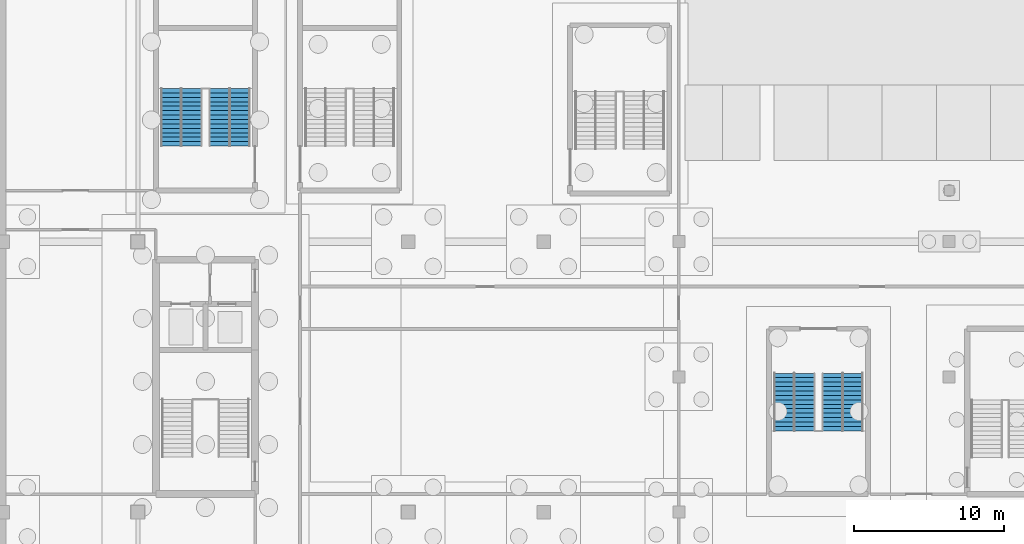
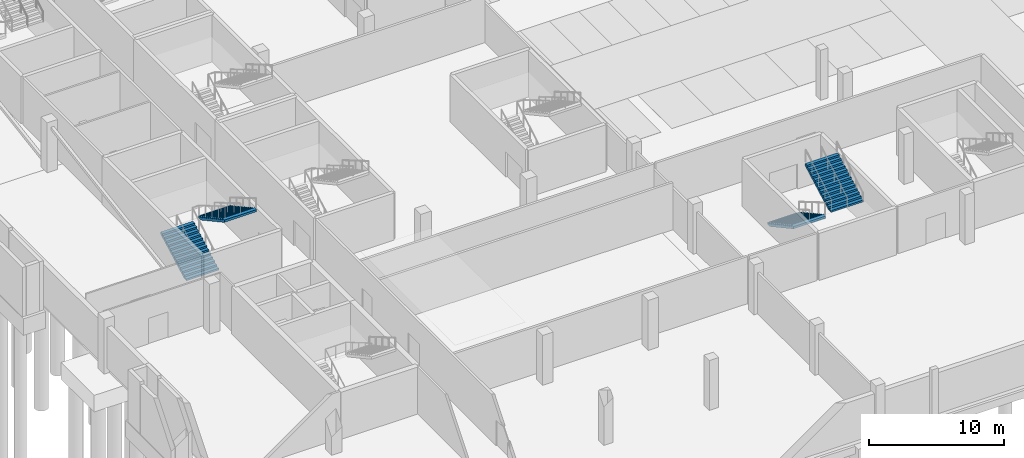
# One storey, part 28 of 46: 4 stair flights, 2 elements without a shape of their own.
"""IFC4 building model written with IfcOpenShell, lengths in metres."""

from ifc_helpers import new_model, si_unit, direction, frame, origin, place, context, subcontext, project, spatial, polygons, material, type_object, element, aggregate, save


model = new_model("IFC4")

# Units and contexts
model_context = context("Model", 3, precision=1e-05, world=origin(), true_north=direction((0.0, 1.0)))
body_context = subcontext(model_context, "Body", "Model", "MODEL_VIEW")
ifc_project = project(units=[si_unit("LENGTHUNIT", "METRE"), si_unit("AREAUNIT", "SQUARE_METRE"), si_unit("VOLUMEUNIT", "CUBIC_METRE"), si_unit("PLANEANGLEUNIT", "RADIAN"), si_unit("MASSUNIT", "GRAM", prefix="KILO")], contexts=[model_context])

# Site, building, storey
site_placement = place(None, origin())
site = spatial("IfcSite", under=ifc_project, at=site_placement, CompositionType="ELEMENT")
building_placement = place(site_placement, origin())
building = spatial("IfcBuilding", under=site, at=building_placement, Name="Kisiwana Market Hall", CompositionType="ELEMENT")
storey_placement = place(building_placement, frame((0.0, 0.0, -4.5)))
storey = spatial("IfcBuildingStorey", under=building, at=storey_placement, Name="B1", CompositionType="ELEMENT", Elevation=-4.5)

# Stair, stair flights
ifc_material_1 = material(Name="Concrete C32/40", Category="concrete")
stair_type = type_object("IfcStairType", Name="ST-ESC-4500", PredefinedType="TWO_STRAIGHT_RUN_STAIR", material=ifc_material_1)
stair_1_placement = place(storey_placement, origin())
stair_1 = element("IfcStair", 1, at=stair_1_placement, inside=storey, type_object=stair_type, Name="Escape stair ST-W3-B1", PredefinedType="TWO_STRAIGHT_RUN_STAIR")
ifc_material_2 = material(Name="Concrete C32/40", Category="concrete")
stair_flight_type = type_object("IfcStairFlightType", Name="SF-ESC-4500", PredefinedType="STRAIGHT", material=ifc_material_2)
stair_flight_1_placement = place(storey_placement, frame((11.889892578125, 42.360107421875, 0.0), z_axis=(0.0, 0.0, 1.0), x_axis=(0.0, 1.0, 0.0)))
stair_flight_1 = element("IfcStairFlight", 2, at=stair_flight_1_placement, type_object=stair_flight_type, Name="ST-W3-B1 flight 1", NumberOfRisers=14, NumberOfTreads=13, PredefinedType="STRAIGHT", RiserHeight=0.160714, TreadLength=0.295, context=body_context, shape_type="Tessellation", body=[
    polygons([(0.0, -1.380127, 0.0), (0.0, -0.690125, 0.0), (0.0, -0.000122, 0.0), (0.0, 0.68988, 0.0), (0.0, 1.379883, 0.0), (0.0, -1.380127, 0.160645), (0.0, -0.690125, 0.160645), (0.0, -0.000122, 0.160645), (0.0, 0.68988, 0.160645), (0.0, 1.379883, 0.160645), (0.294922, -1.380127, 0.160645), (0.294922, -0.690125, 0.160645), (0.294922, -0.000122, 0.160645), (0.294922, 0.68988, 0.160645), (0.294922, 1.379883, 0.160645), (0.294922, -1.380127, 0.321533), (0.294922, -0.690125, 0.321533), (0.294922, -0.000122, 0.321533), (0.294922, 0.68988, 0.321533), (0.294922, 1.379883, 0.321533), (0.590088, -1.380127, 0.321533), (0.590088, -0.690125, 0.321533), (0.590088, -0.000122, 0.321533), (0.590088, 0.68988, 0.321533), (0.590088, 1.379883, 0.321533), (0.590088, -1.380127, 0.482178), (0.590088, -0.690125, 0.482178), (0.590088, -0.000122, 0.482178), (0.590088, 0.68988, 0.482178), (0.590088, 1.379883, 0.482178), (0.88501, -1.380127, 0.482178), (0.88501, -0.690125, 0.482178), (0.88501, -0.000122, 0.482178), (0.88501, 0.68988, 0.482178), (0.88501, 1.379883, 0.482178), (0.88501, -1.380127, 0.642822), (0.88501, -0.690125, 0.642822), (0.88501, -0.000122, 0.642822), (0.88501, 0.68988, 0.642822), (0.88501, 1.379883, 0.642822), (1.179932, -1.380127, 0.642822), (1.179932, -0.690125, 0.642822), (1.179932, -0.000122, 0.642822), (1.179932, 0.68988, 0.642822), (1.179932, 1.379883, 0.642822), (1.179932, -1.380127, 0.803467), (1.179932, -0.690125, 0.803467), (1.179932, -0.000122, 0.803467), (1.179932, 0.68988, 0.803467), (1.179932, 1.379883, 0.803467), (1.475098, -1.380127, 0.803467), (1.475098, -0.690125, 0.803467), (1.475098, -0.000122, 0.803467), (1.475098, 0.68988, 0.803467), (1.475098, 1.379883, 0.803467), (1.475098, -1.380127, 0.964355), (1.475098, -0.690125, 0.964355), (1.475098, -0.000122, 0.964355), (1.475098, 0.68988, 0.964355), (1.475098, 1.379883, 0.964355), (1.77002, -1.380127, 0.964355), (1.77002, -0.690125, 0.964355), (1.77002, -0.000122, 0.964355), (1.77002, 0.68988, 0.964355), (1.77002, 1.379883, 0.964355), (1.77002, -1.380127, 1.125), (1.77002, -0.690125, 1.125), (1.77002, -0.000122, 1.125), (1.77002, 0.68988, 1.125), (1.77002, 1.379883, 1.125), (2.064941, -1.380127, 1.125), (2.064941, -0.690125, 1.125), (2.064941, -0.000122, 1.125), (2.064941, 0.68988, 1.125), (2.064941, 1.379883, 1.125), (2.064941, -1.380127, 1.285645), (2.064941, -0.690125, 1.285645), (2.064941, -0.000122, 1.285645), (2.064941, 0.68988, 1.285645), (2.064941, 1.379883, 1.285645), (2.360107, -1.380127, 1.285645), (2.360107, -0.690125, 1.285645), (2.360107, -0.000122, 1.285645), (2.360107, 0.68988, 1.285645), (2.360107, 1.379883, 1.285645), (2.360107, -1.380127, 1.446533), (2.360107, -0.690125, 1.446533), (2.360107, -0.000122, 1.446533), (2.360107, 0.68988, 1.446533), (2.360107, 1.379883, 1.446533), (2.655029, -1.380127, 1.446533), (2.655029, -0.690125, 1.446533), (2.655029, -0.000122, 1.446533), (2.655029, 0.68988, 1.446533), (2.655029, 1.379883, 1.446533), (2.655029, -1.380127, 1.607178), (2.655029, -0.690125, 1.607178), (2.655029, -0.000122, 1.607178), (2.655029, 0.68988, 1.607178), (2.655029, 1.379883, 1.607178), (2.949951, -1.380127, 1.607178), (2.949951, -0.690125, 1.607178), (2.949951, -0.000122, 1.607178), (2.949951, 0.68988, 1.607178), (2.949951, 1.379883, 1.607178), (2.949951, -1.380127, 1.767822), (2.949951, -0.690125, 1.767822), (2.949951, -0.000122, 1.767822), (2.949951, 0.68988, 1.767822), (2.949951, 1.379883, 1.767822), (3.245117, -1.380127, 1.767822), (3.245117, -0.690125, 1.767822), (3.245117, -0.000122, 1.767822), (3.245117, 0.68988, 1.767822), (3.245117, 1.379883, 1.767822), (3.245117, -1.380127, 1.928467), (3.245117, -0.690125, 1.928467), (3.245117, -0.000122, 1.928467), (3.245117, 0.68988, 1.928467), (3.245117, 1.379883, 1.928467), (3.540039, -1.380127, 1.928467), (3.540039, -0.690125, 1.928467), (3.540039, -0.000122, 1.928467), (3.540039, 0.68988, 1.928467), (3.540039, 1.379883, 1.928467), (3.540039, -1.380127, 2.089355), (3.540039, -0.690125, 2.089355), (3.540039, -0.000122, 2.089355), (3.540039, 0.68988, 2.089355), (3.540039, 1.379883, 2.089355), (3.834961, -1.380127, 2.089355), (3.834961, -0.690125, 2.089355), (3.834961, -0.000122, 2.089355), (3.834961, 0.68988, 2.089355), (3.834961, 1.379883, 2.089355), (3.834961, -1.380127, 1.884277), (3.834961, -0.690125, 1.884277), (3.834961, -0.000122, 1.884277), (3.834961, 0.68988, 1.884277), (3.834961, 1.379883, 1.884277), (0.376221, -1.380127, 0.0), (0.376221, -0.690125, 0.0), (0.376221, -0.000122, 0.0), (0.376221, 0.68988, 0.0), (0.376221, 1.379883, 0.0)], [[[1, 6, 7, 2]], [[2, 7, 8, 3]], [[3, 8, 9, 4]], [[4, 9, 10, 5]], [[6, 11, 12, 7]], [[7, 12, 13, 8]], [[8, 13, 14, 9]], [[9, 14, 15, 10]], [[11, 16, 17, 12]], [[12, 17, 18, 13]], [[13, 18, 19, 14]], [[14, 19, 20, 15]], [[16, 21, 22, 17]], [[17, 22, 23, 18]], [[18, 23, 24, 19]], [[19, 24, 25, 20]], [[21, 26, 27, 22]], [[22, 27, 28, 23]], [[23, 28, 29, 24]], [[24, 29, 30, 25]], [[26, 31, 32, 27]], [[27, 32, 33, 28]], [[28, 33, 34, 29]], [[29, 34, 35, 30]], [[31, 36, 37, 32]], [[32, 37, 38, 33]], [[33, 38, 39, 34]], [[34, 39, 40, 35]], [[36, 41, 42, 37]], [[37, 42, 43, 38]], [[38, 43, 44, 39]], [[39, 44, 45, 40]], [[41, 46, 47, 42]], [[42, 47, 48, 43]], [[43, 48, 49, 44]], [[44, 49, 50, 45]], [[46, 51, 52, 47]], [[47, 52, 53, 48]], [[48, 53, 54, 49]], [[49, 54, 55, 50]], [[51, 56, 57, 52]], [[52, 57, 58, 53]], [[53, 58, 59, 54]], [[54, 59, 60, 55]], [[56, 61, 62, 57]], [[57, 62, 63, 58]], [[58, 63, 64, 59]], [[59, 64, 65, 60]], [[61, 66, 67, 62]], [[62, 67, 68, 63]], [[63, 68, 69, 64]], [[64, 69, 70, 65]], [[66, 71, 72, 67]], [[67, 72, 73, 68]], [[68, 73, 74, 69]], [[69, 74, 75, 70]], [[71, 76, 77, 72]], [[72, 77, 78, 73]], [[73, 78, 79, 74]], [[74, 79, 80, 75]], [[76, 81, 82, 77]], [[77, 82, 83, 78]], [[78, 83, 84, 79]], [[79, 84, 85, 80]], [[81, 86, 87, 82]], [[82, 87, 88, 83]], [[83, 88, 89, 84]], [[84, 89, 90, 85]], [[86, 91, 92, 87]], [[87, 92, 93, 88]], [[88, 93, 94, 89]], [[89, 94, 95, 90]], [[91, 96, 97, 92]], [[92, 97, 98, 93]], [[93, 98, 99, 94]], [[94, 99, 100, 95]], [[96, 101, 102, 97]], [[97, 102, 103, 98]], [[98, 103, 104, 99]], [[99, 104, 105, 100]], [[101, 106, 107, 102]], [[102, 107, 108, 103]], [[103, 108, 109, 104]], [[104, 109, 110, 105]], [[106, 111, 112, 107]], [[107, 112, 113, 108]], [[108, 113, 114, 109]], [[109, 114, 115, 110]], [[111, 116, 117, 112]], [[112, 117, 118, 113]], [[113, 118, 119, 114]], [[114, 119, 120, 115]], [[116, 121, 122, 117]], [[117, 122, 123, 118]], [[118, 123, 124, 119]], [[119, 124, 125, 120]], [[121, 126, 127, 122]], [[122, 127, 128, 123]], [[123, 128, 129, 124]], [[124, 129, 130, 125]], [[126, 131, 132, 127]], [[127, 132, 133, 128]], [[128, 133, 134, 129]], [[129, 134, 135, 130]], [[131, 136, 137, 132]], [[132, 137, 138, 133]], [[133, 138, 139, 134]], [[134, 139, 140, 135]], [[136, 141, 142, 137]], [[137, 142, 143, 138]], [[138, 143, 144, 139]], [[139, 144, 145, 140]], [[141, 1, 2, 142]], [[142, 2, 3, 143]], [[143, 3, 4, 144]], [[144, 4, 5, 145]], [[141, 136, 131, 126, 121, 116, 111, 106, 101, 96, 91, 86, 81, 76, 71, 66, 61, 56, 51, 46, 41, 36, 31, 26, 21, 16, 11, 6, 1]], [[5, 10, 15, 20, 25, 30, 35, 40, 45, 50, 55, 60, 65, 70, 75, 80, 85, 90, 95, 100, 105, 110, 115, 120, 125, 130, 135, 140, 145]]], closed=True),
])
stair_flight_2_placement = place(storey_placement, frame((15.110107421875, 46.195068359375, 2.25), z_axis=(0.0, 0.0, 1.0), x_axis=(0.0, -1.0, 0.0)))
stair_flight_2 = element("IfcStairFlight", 3, at=stair_flight_2_placement, type_object=stair_flight_type, Name="ST-W3-B1 flight 2", NumberOfRisers=14, NumberOfTreads=13, PredefinedType="STRAIGHT", RiserHeight=0.160714, TreadLength=0.295, context=body_context, shape_type="Tessellation", body=[
    polygons([(0.0, -1.380127, 0.0), (0.0, -0.690125, 0.0), (0.0, -0.000122, 0.0), (0.0, 0.68988, 0.0), (0.0, 1.379883, 0.0), (0.0, -1.380127, 0.160645), (0.0, -0.690125, 0.160645), (0.0, -0.000122, 0.160645), (0.0, 0.68988, 0.160645), (0.0, 1.379883, 0.160645), (0.294922, -1.380127, 0.160645), (0.294922, -0.690125, 0.160645), (0.294922, -0.000122, 0.160645), (0.294922, 0.68988, 0.160645), (0.294922, 1.379883, 0.160645), (0.294922, -1.380127, 0.321533), (0.294922, -0.690125, 0.321533), (0.294922, -0.000122, 0.321533), (0.294922, 0.68988, 0.321533), (0.294922, 1.379883, 0.321533), (0.590088, -1.380127, 0.321533), (0.590088, -0.690125, 0.321533), (0.590088, -0.000122, 0.321533), (0.590088, 0.68988, 0.321533), (0.590088, 1.379883, 0.321533), (0.590088, -1.380127, 0.482178), (0.590088, -0.690125, 0.482178), (0.590088, -0.000122, 0.482178), (0.590088, 0.68988, 0.482178), (0.590088, 1.379883, 0.482178), (0.88501, -1.380127, 0.482178), (0.88501, -0.690125, 0.482178), (0.88501, -0.000122, 0.482178), (0.88501, 0.68988, 0.482178), (0.88501, 1.379883, 0.482178), (0.88501, -1.380127, 0.642822), (0.88501, -0.690125, 0.642822), (0.88501, -0.000122, 0.642822), (0.88501, 0.68988, 0.642822), (0.88501, 1.379883, 0.642822), (1.179932, -1.380127, 0.642822), (1.179932, -0.690125, 0.642822), (1.179932, -0.000122, 0.642822), (1.179932, 0.68988, 0.642822), (1.179932, 1.379883, 0.642822), (1.179932, -1.380127, 0.803467), (1.179932, -0.690125, 0.803467), (1.179932, -0.000122, 0.803467), (1.179932, 0.68988, 0.803467), (1.179932, 1.379883, 0.803467), (1.475098, -1.380127, 0.803467), (1.475098, -0.690125, 0.803467), (1.475098, -0.000122, 0.803467), (1.475098, 0.68988, 0.803467), (1.475098, 1.379883, 0.803467), (1.475098, -1.380127, 0.964355), (1.475098, -0.690125, 0.964355), (1.475098, -0.000122, 0.964355), (1.475098, 0.68988, 0.964355), (1.475098, 1.379883, 0.964355), (1.77002, -1.380127, 0.964355), (1.77002, -0.690125, 0.964355), (1.77002, -0.000122, 0.964355), (1.77002, 0.68988, 0.964355), (1.77002, 1.379883, 0.964355), (1.77002, -1.380127, 1.125), (1.77002, -0.690125, 1.125), (1.77002, -0.000122, 1.125), (1.77002, 0.68988, 1.125), (1.77002, 1.379883, 1.125), (2.064941, -1.380127, 1.125), (2.064941, -0.690125, 1.125), (2.064941, -0.000122, 1.125), (2.064941, 0.68988, 1.125), (2.064941, 1.379883, 1.125), (2.064941, -1.380127, 1.285645), (2.064941, -0.690125, 1.285645), (2.064941, -0.000122, 1.285645), (2.064941, 0.68988, 1.285645), (2.064941, 1.379883, 1.285645), (2.360107, -1.380127, 1.285645), (2.360107, -0.690125, 1.285645), (2.360107, -0.000122, 1.285645), (2.360107, 0.68988, 1.285645), (2.360107, 1.379883, 1.285645), (2.360107, -1.380127, 1.446533), (2.360107, -0.690125, 1.446533), (2.360107, -0.000122, 1.446533), (2.360107, 0.68988, 1.446533), (2.360107, 1.379883, 1.446533), (2.655029, -1.380127, 1.446533), (2.655029, -0.690125, 1.446533), (2.655029, -0.000122, 1.446533), (2.655029, 0.68988, 1.446533), (2.655029, 1.379883, 1.446533), (2.655029, -1.380127, 1.607178), (2.655029, -0.690125, 1.607178), (2.655029, -0.000122, 1.607178), (2.655029, 0.68988, 1.607178), (2.655029, 1.379883, 1.607178), (2.949951, -1.380127, 1.607178), (2.949951, -0.690125, 1.607178), (2.949951, -0.000122, 1.607178), (2.949951, 0.68988, 1.607178), (2.949951, 1.379883, 1.607178), (2.949951, -1.380127, 1.767822), (2.949951, -0.690125, 1.767822), (2.949951, -0.000122, 1.767822), (2.949951, 0.68988, 1.767822), (2.949951, 1.379883, 1.767822), (3.245117, -1.380127, 1.767822), (3.245117, -0.690125, 1.767822), (3.245117, -0.000122, 1.767822), (3.245117, 0.68988, 1.767822), (3.245117, 1.379883, 1.767822), (3.245117, -1.380127, 1.928467), (3.245117, -0.690125, 1.928467), (3.245117, -0.000122, 1.928467), (3.245117, 0.68988, 1.928467), (3.245117, 1.379883, 1.928467), (3.540039, -1.380127, 1.928467), (3.540039, -0.690125, 1.928467), (3.540039, -0.000122, 1.928467), (3.540039, 0.68988, 1.928467), (3.540039, 1.379883, 1.928467), (3.540039, -1.380127, 2.089355), (3.540039, -0.690125, 2.089355), (3.540039, -0.000122, 2.089355), (3.540039, 0.68988, 2.089355), (3.540039, 1.379883, 2.089355), (3.834961, -1.380127, 2.089355), (3.834961, -0.690125, 2.089355), (3.834961, -0.000122, 2.089355), (3.834961, 0.68988, 2.089355), (3.834961, 1.379883, 2.089355), (3.834961, -1.380127, 1.884277), (3.834961, -0.690125, 1.884277), (3.834961, -0.000122, 1.884277), (3.834961, 0.68988, 1.884277), (3.834961, 1.379883, 1.884277), (0.376221, -1.380127, 0.0), (0.376221, -0.690125, 0.0), (0.376221, -0.000122, 0.0), (0.376221, 0.68988, 0.0), (0.376221, 1.379883, 0.0)], [[[1, 6, 7, 2]], [[2, 7, 8, 3]], [[3, 8, 9, 4]], [[4, 9, 10, 5]], [[6, 11, 12, 7]], [[7, 12, 13, 8]], [[8, 13, 14, 9]], [[9, 14, 15, 10]], [[11, 16, 17, 12]], [[12, 17, 18, 13]], [[13, 18, 19, 14]], [[14, 19, 20, 15]], [[16, 21, 22, 17]], [[17, 22, 23, 18]], [[18, 23, 24, 19]], [[19, 24, 25, 20]], [[21, 26, 27, 22]], [[22, 27, 28, 23]], [[23, 28, 29, 24]], [[24, 29, 30, 25]], [[26, 31, 32, 27]], [[27, 32, 33, 28]], [[28, 33, 34, 29]], [[29, 34, 35, 30]], [[31, 36, 37, 32]], [[32, 37, 38, 33]], [[33, 38, 39, 34]], [[34, 39, 40, 35]], [[36, 41, 42, 37]], [[37, 42, 43, 38]], [[38, 43, 44, 39]], [[39, 44, 45, 40]], [[41, 46, 47, 42]], [[42, 47, 48, 43]], [[43, 48, 49, 44]], [[44, 49, 50, 45]], [[46, 51, 52, 47]], [[47, 52, 53, 48]], [[48, 53, 54, 49]], [[49, 54, 55, 50]], [[51, 56, 57, 52]], [[52, 57, 58, 53]], [[53, 58, 59, 54]], [[54, 59, 60, 55]], [[56, 61, 62, 57]], [[57, 62, 63, 58]], [[58, 63, 64, 59]], [[59, 64, 65, 60]], [[61, 66, 67, 62]], [[62, 67, 68, 63]], [[63, 68, 69, 64]], [[64, 69, 70, 65]], [[66, 71, 72, 67]], [[67, 72, 73, 68]], [[68, 73, 74, 69]], [[69, 74, 75, 70]], [[71, 76, 77, 72]], [[72, 77, 78, 73]], [[73, 78, 79, 74]], [[74, 79, 80, 75]], [[76, 81, 82, 77]], [[77, 82, 83, 78]], [[78, 83, 84, 79]], [[79, 84, 85, 80]], [[81, 86, 87, 82]], [[82, 87, 88, 83]], [[83, 88, 89, 84]], [[84, 89, 90, 85]], [[86, 91, 92, 87]], [[87, 92, 93, 88]], [[88, 93, 94, 89]], [[89, 94, 95, 90]], [[91, 96, 97, 92]], [[92, 97, 98, 93]], [[93, 98, 99, 94]], [[94, 99, 100, 95]], [[96, 101, 102, 97]], [[97, 102, 103, 98]], [[98, 103, 104, 99]], [[99, 104, 105, 100]], [[101, 106, 107, 102]], [[102, 107, 108, 103]], [[103, 108, 109, 104]], [[104, 109, 110, 105]], [[106, 111, 112, 107]], [[107, 112, 113, 108]], [[108, 113, 114, 109]], [[109, 114, 115, 110]], [[111, 116, 117, 112]], [[112, 117, 118, 113]], [[113, 118, 119, 114]], [[114, 119, 120, 115]], [[116, 121, 122, 117]], [[117, 122, 123, 118]], [[118, 123, 124, 119]], [[119, 124, 125, 120]], [[121, 126, 127, 122]], [[122, 127, 128, 123]], [[123, 128, 129, 124]], [[124, 129, 130, 125]], [[126, 131, 132, 127]], [[127, 132, 133, 128]], [[128, 133, 134, 129]], [[129, 134, 135, 130]], [[131, 136, 137, 132]], [[132, 137, 138, 133]], [[133, 138, 139, 134]], [[134, 139, 140, 135]], [[136, 141, 142, 137]], [[137, 142, 143, 138]], [[138, 143, 144, 139]], [[139, 144, 145, 140]], [[141, 1, 2, 142]], [[142, 2, 3, 143]], [[143, 3, 4, 144]], [[144, 4, 5, 145]], [[141, 136, 131, 126, 121, 116, 111, 106, 101, 96, 91, 86, 81, 76, 71, 66, 61, 56, 51, 46, 41, 36, 31, 26, 21, 16, 11, 6, 1]], [[5, 10, 15, 20, 25, 30, 35, 40, 45, 50, 55, 60, 65, 70, 75, 80, 85, 90, 95, 100, 105, 110, 115, 120, 125, 130, 135, 140, 145]]], closed=True),
])
aggregate(stair_1, [stair_flight_1, stair_flight_2])

stair_2_placement = place(storey_placement, origin())
stair_2 = element("IfcStair", 4, at=stair_2_placement, inside=storey, type_object=stair_type, Name="Escape stair ST-S3-B1", PredefinedType="TWO_STRAIGHT_RUN_STAIR")
stair_flight_3_placement = place(storey_placement, frame((52.68994140625, 27.239990234375, 0.0), z_axis=(0.0, 0.0, 1.0), x_axis=(0.0, -1.0, 0.0)))
stair_flight_3 = element("IfcStairFlight", 5, at=stair_flight_3_placement, type_object=stair_flight_type, Name="ST-S3-B1 flight 1", NumberOfRisers=14, NumberOfTreads=13, PredefinedType="STRAIGHT", RiserHeight=0.160714, TreadLength=0.295, context=body_context, shape_type="Tessellation", body=[
    polygons([(0.0, -1.380127, 0.0), (0.0, -0.690125, 0.0), (0.0, -0.000122, 0.0), (0.0, 0.68988, 0.0), (0.0, 1.379883, 0.0), (0.0, -1.380127, 0.160645), (0.0, -0.690125, 0.160645), (0.0, -0.000122, 0.160645), (0.0, 0.68988, 0.160645), (0.0, 1.379883, 0.160645), (0.294922, -1.380127, 0.160645), (0.294922, -0.690125, 0.160645), (0.294922, -0.000122, 0.160645), (0.294922, 0.68988, 0.160645), (0.294922, 1.379883, 0.160645), (0.294922, -1.380127, 0.321533), (0.294922, -0.690125, 0.321533), (0.294922, -0.000122, 0.321533), (0.294922, 0.68988, 0.321533), (0.294922, 1.379883, 0.321533), (0.590088, -1.380127, 0.321533), (0.590088, -0.690125, 0.321533), (0.590088, -0.000122, 0.321533), (0.590088, 0.68988, 0.321533), (0.590088, 1.379883, 0.321533), (0.590088, -1.380127, 0.482178), (0.590088, -0.690125, 0.482178), (0.590088, -0.000122, 0.482178), (0.590088, 0.68988, 0.482178), (0.590088, 1.379883, 0.482178), (0.88501, -1.380127, 0.482178), (0.88501, -0.690125, 0.482178), (0.88501, -0.000122, 0.482178), (0.88501, 0.68988, 0.482178), (0.88501, 1.379883, 0.482178), (0.88501, -1.380127, 0.642822), (0.88501, -0.690125, 0.642822), (0.88501, -0.000122, 0.642822), (0.88501, 0.68988, 0.642822), (0.88501, 1.379883, 0.642822), (1.179932, -1.380127, 0.642822), (1.179932, -0.690125, 0.642822), (1.179932, -0.000122, 0.642822), (1.179932, 0.68988, 0.642822), (1.179932, 1.379883, 0.642822), (1.179932, -1.380127, 0.803467), (1.179932, -0.690125, 0.803467), (1.179932, -0.000122, 0.803467), (1.179932, 0.68988, 0.803467), (1.179932, 1.379883, 0.803467), (1.475098, -1.380127, 0.803467), (1.475098, -0.690125, 0.803467), (1.475098, -0.000122, 0.803467), (1.475098, 0.68988, 0.803467), (1.475098, 1.379883, 0.803467), (1.475098, -1.380127, 0.964355), (1.475098, -0.690125, 0.964355), (1.475098, -0.000122, 0.964355), (1.475098, 0.68988, 0.964355), (1.475098, 1.379883, 0.964355), (1.77002, -1.380127, 0.964355), (1.77002, -0.690125, 0.964355), (1.77002, -0.000122, 0.964355), (1.77002, 0.68988, 0.964355), (1.77002, 1.379883, 0.964355), (1.77002, -1.380127, 1.125), (1.77002, -0.690125, 1.125), (1.77002, -0.000122, 1.125), (1.77002, 0.68988, 1.125), (1.77002, 1.379883, 1.125), (2.064941, -1.380127, 1.125), (2.064941, -0.690125, 1.125), (2.064941, -0.000122, 1.125), (2.064941, 0.68988, 1.125), (2.064941, 1.379883, 1.125), (2.064941, -1.380127, 1.285645), (2.064941, -0.690125, 1.285645), (2.064941, -0.000122, 1.285645), (2.064941, 0.68988, 1.285645), (2.064941, 1.379883, 1.285645), (2.360107, -1.380127, 1.285645), (2.360107, -0.690125, 1.285645), (2.360107, -0.000122, 1.285645), (2.360107, 0.68988, 1.285645), (2.360107, 1.379883, 1.285645), (2.360107, -1.380127, 1.446533), (2.360107, -0.690125, 1.446533), (2.360107, -0.000122, 1.446533), (2.360107, 0.68988, 1.446533), (2.360107, 1.379883, 1.446533), (2.655029, -1.380127, 1.446533), (2.655029, -0.690125, 1.446533), (2.655029, -0.000122, 1.446533), (2.655029, 0.68988, 1.446533), (2.655029, 1.379883, 1.446533), (2.655029, -1.380127, 1.607178), (2.655029, -0.690125, 1.607178), (2.655029, -0.000122, 1.607178), (2.655029, 0.68988, 1.607178), (2.655029, 1.379883, 1.607178), (2.949951, -1.380127, 1.607178), (2.949951, -0.690125, 1.607178), (2.949951, -0.000122, 1.607178), (2.949951, 0.68988, 1.607178), (2.949951, 1.379883, 1.607178), (2.949951, -1.380127, 1.767822), (2.949951, -0.690125, 1.767822), (2.949951, -0.000122, 1.767822), (2.949951, 0.68988, 1.767822), (2.949951, 1.379883, 1.767822), (3.245117, -1.380127, 1.767822), (3.245117, -0.690125, 1.767822), (3.245117, -0.000122, 1.767822), (3.245117, 0.68988, 1.767822), (3.245117, 1.379883, 1.767822), (3.245117, -1.380127, 1.928467), (3.245117, -0.690125, 1.928467), (3.245117, -0.000122, 1.928467), (3.245117, 0.68988, 1.928467), (3.245117, 1.379883, 1.928467), (3.540039, -1.380127, 1.928467), (3.540039, -0.690125, 1.928467), (3.540039, -0.000122, 1.928467), (3.540039, 0.68988, 1.928467), (3.540039, 1.379883, 1.928467), (3.540039, -1.380127, 2.089355), (3.540039, -0.690125, 2.089355), (3.540039, -0.000122, 2.089355), (3.540039, 0.68988, 2.089355), (3.540039, 1.379883, 2.089355), (3.834961, -1.380127, 2.089355), (3.834961, -0.690125, 2.089355), (3.834961, -0.000122, 2.089355), (3.834961, 0.68988, 2.089355), (3.834961, 1.379883, 2.089355), (3.834961, -1.380127, 1.884277), (3.834961, -0.690125, 1.884277), (3.834961, -0.000122, 1.884277), (3.834961, 0.68988, 1.884277), (3.834961, 1.379883, 1.884277), (0.376221, -1.380127, 0.0), (0.376221, -0.690125, 0.0), (0.376221, -0.000122, 0.0), (0.376221, 0.68988, 0.0), (0.376221, 1.379883, 0.0)], [[[1, 6, 7, 2]], [[2, 7, 8, 3]], [[3, 8, 9, 4]], [[4, 9, 10, 5]], [[6, 11, 12, 7]], [[7, 12, 13, 8]], [[8, 13, 14, 9]], [[9, 14, 15, 10]], [[11, 16, 17, 12]], [[12, 17, 18, 13]], [[13, 18, 19, 14]], [[14, 19, 20, 15]], [[16, 21, 22, 17]], [[17, 22, 23, 18]], [[18, 23, 24, 19]], [[19, 24, 25, 20]], [[21, 26, 27, 22]], [[22, 27, 28, 23]], [[23, 28, 29, 24]], [[24, 29, 30, 25]], [[26, 31, 32, 27]], [[27, 32, 33, 28]], [[28, 33, 34, 29]], [[29, 34, 35, 30]], [[31, 36, 37, 32]], [[32, 37, 38, 33]], [[33, 38, 39, 34]], [[34, 39, 40, 35]], [[36, 41, 42, 37]], [[37, 42, 43, 38]], [[38, 43, 44, 39]], [[39, 44, 45, 40]], [[41, 46, 47, 42]], [[42, 47, 48, 43]], [[43, 48, 49, 44]], [[44, 49, 50, 45]], [[46, 51, 52, 47]], [[47, 52, 53, 48]], [[48, 53, 54, 49]], [[49, 54, 55, 50]], [[51, 56, 57, 52]], [[52, 57, 58, 53]], [[53, 58, 59, 54]], [[54, 59, 60, 55]], [[56, 61, 62, 57]], [[57, 62, 63, 58]], [[58, 63, 64, 59]], [[59, 64, 65, 60]], [[61, 66, 67, 62]], [[62, 67, 68, 63]], [[63, 68, 69, 64]], [[64, 69, 70, 65]], [[66, 71, 72, 67]], [[67, 72, 73, 68]], [[68, 73, 74, 69]], [[69, 74, 75, 70]], [[71, 76, 77, 72]], [[72, 77, 78, 73]], [[73, 78, 79, 74]], [[74, 79, 80, 75]], [[76, 81, 82, 77]], [[77, 82, 83, 78]], [[78, 83, 84, 79]], [[79, 84, 85, 80]], [[81, 86, 87, 82]], [[82, 87, 88, 83]], [[83, 88, 89, 84]], [[84, 89, 90, 85]], [[86, 91, 92, 87]], [[87, 92, 93, 88]], [[88, 93, 94, 89]], [[89, 94, 95, 90]], [[91, 96, 97, 92]], [[92, 97, 98, 93]], [[93, 98, 99, 94]], [[94, 99, 100, 95]], [[96, 101, 102, 97]], [[97, 102, 103, 98]], [[98, 103, 104, 99]], [[99, 104, 105, 100]], [[101, 106, 107, 102]], [[102, 107, 108, 103]], [[103, 108, 109, 104]], [[104, 109, 110, 105]], [[106, 111, 112, 107]], [[107, 112, 113, 108]], [[108, 113, 114, 109]], [[109, 114, 115, 110]], [[111, 116, 117, 112]], [[112, 117, 118, 113]], [[113, 118, 119, 114]], [[114, 119, 120, 115]], [[116, 121, 122, 117]], [[117, 122, 123, 118]], [[118, 123, 124, 119]], [[119, 124, 125, 120]], [[121, 126, 127, 122]], [[122, 127, 128, 123]], [[123, 128, 129, 124]], [[124, 129, 130, 125]], [[126, 131, 132, 127]], [[127, 132, 133, 128]], [[128, 133, 134, 129]], [[129, 134, 135, 130]], [[131, 136, 137, 132]], [[132, 137, 138, 133]], [[133, 138, 139, 134]], [[134, 139, 140, 135]], [[136, 141, 142, 137]], [[137, 142, 143, 138]], [[138, 143, 144, 139]], [[139, 144, 145, 140]], [[141, 1, 2, 142]], [[142, 2, 3, 143]], [[143, 3, 4, 144]], [[144, 4, 5, 145]], [[141, 136, 131, 126, 121, 116, 111, 106, 101, 96, 91, 86, 81, 76, 71, 66, 61, 56, 51, 46, 41, 36, 31, 26, 21, 16, 11, 6, 1]], [[5, 10, 15, 20, 25, 30, 35, 40, 45, 50, 55, 60, 65, 70, 75, 80, 85, 90, 95, 100, 105, 110, 115, 120, 125, 130, 135, 140, 145]]], closed=True),
])
stair_flight_4_placement = place(storey_placement, frame((55.909912109375, 23.405029296875, 2.25), z_axis=(0.0, 0.0, 1.0), x_axis=(0.0, 1.0, 0.0)))
stair_flight_4 = element("IfcStairFlight", 6, at=stair_flight_4_placement, type_object=stair_flight_type, Name="ST-S3-B1 flight 2", NumberOfRisers=14, NumberOfTreads=13, PredefinedType="STRAIGHT", RiserHeight=0.160714, TreadLength=0.295, context=body_context, shape_type="Tessellation", body=[
    polygons([(0.0, -1.380127, 0.0), (0.0, -0.690125, 0.0), (0.0, -0.000122, 0.0), (0.0, 0.68988, 0.0), (0.0, 1.379883, 0.0), (0.0, -1.380127, 0.160645), (0.0, -0.690125, 0.160645), (0.0, -0.000122, 0.160645), (0.0, 0.68988, 0.160645), (0.0, 1.379883, 0.160645), (0.294922, -1.380127, 0.160645), (0.294922, -0.690125, 0.160645), (0.294922, -0.000122, 0.160645), (0.294922, 0.68988, 0.160645), (0.294922, 1.379883, 0.160645), (0.294922, -1.380127, 0.321533), (0.294922, -0.690125, 0.321533), (0.294922, -0.000122, 0.321533), (0.294922, 0.68988, 0.321533), (0.294922, 1.379883, 0.321533), (0.590088, -1.380127, 0.321533), (0.590088, -0.690125, 0.321533), (0.590088, -0.000122, 0.321533), (0.590088, 0.68988, 0.321533), (0.590088, 1.379883, 0.321533), (0.590088, -1.380127, 0.482178), (0.590088, -0.690125, 0.482178), (0.590088, -0.000122, 0.482178), (0.590088, 0.68988, 0.482178), (0.590088, 1.379883, 0.482178), (0.88501, -1.380127, 0.482178), (0.88501, -0.690125, 0.482178), (0.88501, -0.000122, 0.482178), (0.88501, 0.68988, 0.482178), (0.88501, 1.379883, 0.482178), (0.88501, -1.380127, 0.642822), (0.88501, -0.690125, 0.642822), (0.88501, -0.000122, 0.642822), (0.88501, 0.68988, 0.642822), (0.88501, 1.379883, 0.642822), (1.179932, -1.380127, 0.642822), (1.179932, -0.690125, 0.642822), (1.179932, -0.000122, 0.642822), (1.179932, 0.68988, 0.642822), (1.179932, 1.379883, 0.642822), (1.179932, -1.380127, 0.803467), (1.179932, -0.690125, 0.803467), (1.179932, -0.000122, 0.803467), (1.179932, 0.68988, 0.803467), (1.179932, 1.379883, 0.803467), (1.475098, -1.380127, 0.803467), (1.475098, -0.690125, 0.803467), (1.475098, -0.000122, 0.803467), (1.475098, 0.68988, 0.803467), (1.475098, 1.379883, 0.803467), (1.475098, -1.380127, 0.964355), (1.475098, -0.690125, 0.964355), (1.475098, -0.000122, 0.964355), (1.475098, 0.68988, 0.964355), (1.475098, 1.379883, 0.964355), (1.77002, -1.380127, 0.964355), (1.77002, -0.690125, 0.964355), (1.77002, -0.000122, 0.964355), (1.77002, 0.68988, 0.964355), (1.77002, 1.379883, 0.964355), (1.77002, -1.380127, 1.125), (1.77002, -0.690125, 1.125), (1.77002, -0.000122, 1.125), (1.77002, 0.68988, 1.125), (1.77002, 1.379883, 1.125), (2.064941, -1.380127, 1.125), (2.064941, -0.690125, 1.125), (2.064941, -0.000122, 1.125), (2.064941, 0.68988, 1.125), (2.064941, 1.379883, 1.125), (2.064941, -1.380127, 1.285645), (2.064941, -0.690125, 1.285645), (2.064941, -0.000122, 1.285645), (2.064941, 0.68988, 1.285645), (2.064941, 1.379883, 1.285645), (2.360107, -1.380127, 1.285645), (2.360107, -0.690125, 1.285645), (2.360107, -0.000122, 1.285645), (2.360107, 0.68988, 1.285645), (2.360107, 1.379883, 1.285645), (2.360107, -1.380127, 1.446533), (2.360107, -0.690125, 1.446533), (2.360107, -0.000122, 1.446533), (2.360107, 0.68988, 1.446533), (2.360107, 1.379883, 1.446533), (2.655029, -1.380127, 1.446533), (2.655029, -0.690125, 1.446533), (2.655029, -0.000122, 1.446533), (2.655029, 0.68988, 1.446533), (2.655029, 1.379883, 1.446533), (2.655029, -1.380127, 1.607178), (2.655029, -0.690125, 1.607178), (2.655029, -0.000122, 1.607178), (2.655029, 0.68988, 1.607178), (2.655029, 1.379883, 1.607178), (2.949951, -1.380127, 1.607178), (2.949951, -0.690125, 1.607178), (2.949951, -0.000122, 1.607178), (2.949951, 0.68988, 1.607178), (2.949951, 1.379883, 1.607178), (2.949951, -1.380127, 1.767822), (2.949951, -0.690125, 1.767822), (2.949951, -0.000122, 1.767822), (2.949951, 0.68988, 1.767822), (2.949951, 1.379883, 1.767822), (3.245117, -1.380127, 1.767822), (3.245117, -0.690125, 1.767822), (3.245117, -0.000122, 1.767822), (3.245117, 0.68988, 1.767822), (3.245117, 1.379883, 1.767822), (3.245117, -1.380127, 1.928467), (3.245117, -0.690125, 1.928467), (3.245117, -0.000122, 1.928467), (3.245117, 0.68988, 1.928467), (3.245117, 1.379883, 1.928467), (3.540039, -1.380127, 1.928467), (3.540039, -0.690125, 1.928467), (3.540039, -0.000122, 1.928467), (3.540039, 0.68988, 1.928467), (3.540039, 1.379883, 1.928467), (3.540039, -1.380127, 2.089355), (3.540039, -0.690125, 2.089355), (3.540039, -0.000122, 2.089355), (3.540039, 0.68988, 2.089355), (3.540039, 1.379883, 2.089355), (3.834961, -1.380127, 2.089355), (3.834961, -0.690125, 2.089355), (3.834961, -0.000122, 2.089355), (3.834961, 0.68988, 2.089355), (3.834961, 1.379883, 2.089355), (3.834961, -1.380127, 1.884277), (3.834961, -0.690125, 1.884277), (3.834961, -0.000122, 1.884277), (3.834961, 0.68988, 1.884277), (3.834961, 1.379883, 1.884277), (0.376221, -1.380127, 0.0), (0.376221, -0.690125, 0.0), (0.376221, -0.000122, 0.0), (0.376221, 0.68988, 0.0), (0.376221, 1.379883, 0.0)], [[[1, 6, 7, 2]], [[2, 7, 8, 3]], [[3, 8, 9, 4]], [[4, 9, 10, 5]], [[6, 11, 12, 7]], [[7, 12, 13, 8]], [[8, 13, 14, 9]], [[9, 14, 15, 10]], [[11, 16, 17, 12]], [[12, 17, 18, 13]], [[13, 18, 19, 14]], [[14, 19, 20, 15]], [[16, 21, 22, 17]], [[17, 22, 23, 18]], [[18, 23, 24, 19]], [[19, 24, 25, 20]], [[21, 26, 27, 22]], [[22, 27, 28, 23]], [[23, 28, 29, 24]], [[24, 29, 30, 25]], [[26, 31, 32, 27]], [[27, 32, 33, 28]], [[28, 33, 34, 29]], [[29, 34, 35, 30]], [[31, 36, 37, 32]], [[32, 37, 38, 33]], [[33, 38, 39, 34]], [[34, 39, 40, 35]], [[36, 41, 42, 37]], [[37, 42, 43, 38]], [[38, 43, 44, 39]], [[39, 44, 45, 40]], [[41, 46, 47, 42]], [[42, 47, 48, 43]], [[43, 48, 49, 44]], [[44, 49, 50, 45]], [[46, 51, 52, 47]], [[47, 52, 53, 48]], [[48, 53, 54, 49]], [[49, 54, 55, 50]], [[51, 56, 57, 52]], [[52, 57, 58, 53]], [[53, 58, 59, 54]], [[54, 59, 60, 55]], [[56, 61, 62, 57]], [[57, 62, 63, 58]], [[58, 63, 64, 59]], [[59, 64, 65, 60]], [[61, 66, 67, 62]], [[62, 67, 68, 63]], [[63, 68, 69, 64]], [[64, 69, 70, 65]], [[66, 71, 72, 67]], [[67, 72, 73, 68]], [[68, 73, 74, 69]], [[69, 74, 75, 70]], [[71, 76, 77, 72]], [[72, 77, 78, 73]], [[73, 78, 79, 74]], [[74, 79, 80, 75]], [[76, 81, 82, 77]], [[77, 82, 83, 78]], [[78, 83, 84, 79]], [[79, 84, 85, 80]], [[81, 86, 87, 82]], [[82, 87, 88, 83]], [[83, 88, 89, 84]], [[84, 89, 90, 85]], [[86, 91, 92, 87]], [[87, 92, 93, 88]], [[88, 93, 94, 89]], [[89, 94, 95, 90]], [[91, 96, 97, 92]], [[92, 97, 98, 93]], [[93, 98, 99, 94]], [[94, 99, 100, 95]], [[96, 101, 102, 97]], [[97, 102, 103, 98]], [[98, 103, 104, 99]], [[99, 104, 105, 100]], [[101, 106, 107, 102]], [[102, 107, 108, 103]], [[103, 108, 109, 104]], [[104, 109, 110, 105]], [[106, 111, 112, 107]], [[107, 112, 113, 108]], [[108, 113, 114, 109]], [[109, 114, 115, 110]], [[111, 116, 117, 112]], [[112, 117, 118, 113]], [[113, 118, 119, 114]], [[114, 119, 120, 115]], [[116, 121, 122, 117]], [[117, 122, 123, 118]], [[118, 123, 124, 119]], [[119, 124, 125, 120]], [[121, 126, 127, 122]], [[122, 127, 128, 123]], [[123, 128, 129, 124]], [[124, 129, 130, 125]], [[126, 131, 132, 127]], [[127, 132, 133, 128]], [[128, 133, 134, 129]], [[129, 134, 135, 130]], [[131, 136, 137, 132]], [[132, 137, 138, 133]], [[133, 138, 139, 134]], [[134, 139, 140, 135]], [[136, 141, 142, 137]], [[137, 142, 143, 138]], [[138, 143, 144, 139]], [[139, 144, 145, 140]], [[141, 1, 2, 142]], [[142, 2, 3, 143]], [[143, 3, 4, 144]], [[144, 4, 5, 145]], [[141, 136, 131, 126, 121, 116, 111, 106, 101, 96, 91, 86, 81, 76, 71, 66, 61, 56, 51, 46, 41, 36, 31, 26, 21, 16, 11, 6, 1]], [[5, 10, 15, 20, 25, 30, 35, 40, 45, 50, 55, 60, 65, 70, 75, 80, 85, 90, 95, 100, 105, 110, 115, 120, 125, 130, 135, 140, 145]]], closed=True),
])
aggregate(stair_2, [stair_flight_3, stair_flight_4])

save(model, "model.ifc")
